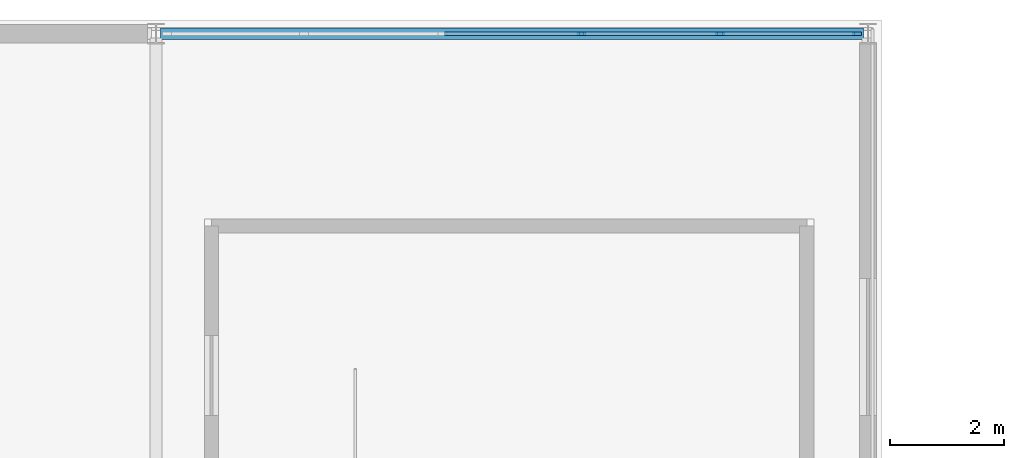
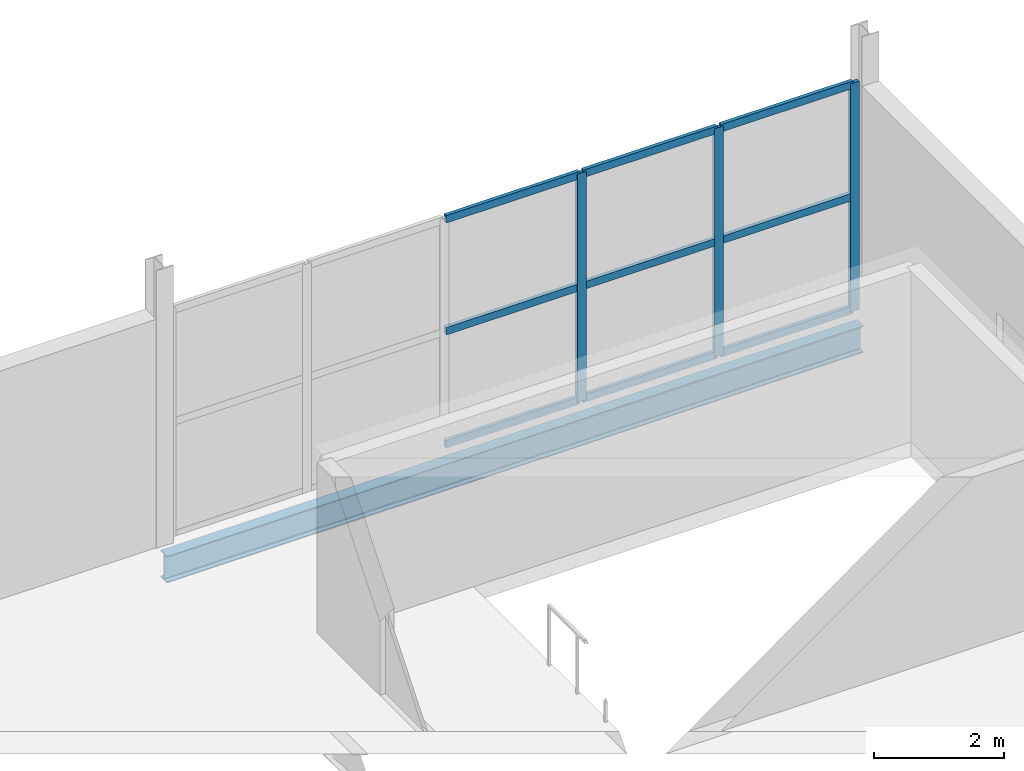
# One storey, part 81 of 168: 12 members, 1 beam, 1 element without a shape of its own.
"""IFC4 building model written with IfcOpenShell, lengths in metres."""

from ifc_helpers import new_model, si_unit, direction, frame, origin, origin_2d, place, context, subcontext, project, spatial, rectangle, i_section, extrude, material, material_profile, profile_set, type_object, element, aggregate, save


model = new_model("IFC4")

# Units and contexts
model_context = context("Model", 3, precision=1e-05, world=origin(), true_north=direction((0.0, 1.0)))
body_context = subcontext(model_context, "Body", "Model", "MODEL_VIEW")
ifc_project = project(units=[si_unit("LENGTHUNIT", "METRE"), si_unit("AREAUNIT", "SQUARE_METRE"), si_unit("VOLUMEUNIT", "CUBIC_METRE"), si_unit("PLANEANGLEUNIT", "RADIAN"), si_unit("MASSUNIT", "GRAM", prefix="KILO")], contexts=[model_context])

# Site, building, storey
site_placement = place(None, origin())
site = spatial("IfcSite", under=ifc_project, at=site_placement, CompositionType="ELEMENT")
building_placement = place(site_placement, origin())
building = spatial("IfcBuilding", under=site, at=building_placement, Name="Zlatoyarsky Gate Stadium", CompositionType="ELEMENT")
storey_placement = place(building_placement, frame((0.0, 0.0, 15.60009765625)))
storey = spatial("IfcBuildingStorey", under=building, at=storey_placement, Name="L03", CompositionType="ELEMENT", Elevation=15.60009765625)

# Curtain wall, members
ifc_material_1 = material(Name="Thermally broken anodised aluminium curtain wall", Category="aluminium")
curtain_wall_type = type_object("IfcCurtainWallType", Name="WINTER GARDEN CONSERVATORY GLAZING", PredefinedType="USERDEFINED", material=ifc_material_1)
curtain_wall_placement = place(storey_placement, origin())
curtain_wall = element("IfcCurtainWall", 1, at=curtain_wall_placement, inside=storey, type_object=curtain_wall_type, Name="Curtain wall CW-V2_NORTH-L03-156", ObjectType="UNITISED GLAZING", PredefinedType="USERDEFINED")
ifc_material_2 = material(Name="Anodised aluminium 6063-T6", Category="aluminium")
ifc_material_profile_1 = material_profile(ifc_material_2, rectangle(XDim=0.06494140625, YDim=0.159912109375, at=origin_2d()), Name="ALU 65X160")
ifc_profile_set_1 = profile_set([ifc_material_profile_1], Name="Anodised aluminium 6063-T6")
member_type_1 = type_object("IfcMemberType", Name="ALUMINIUM MULLION 65X160", PredefinedType="MULLION", material=ifc_profile_set_1)
member_1_placement = place(storey_placement, frame((154.967529296875, 160.0, 0.0), z_axis=(0.0, 0.0, 1.0), x_axis=(0.0, 1.0, 0.0)))
member_1 = element("IfcMember", 2, at=member_1_placement, type_object=member_type_1, Name="CW-WG1 mullion 4", PredefinedType="MULLION", context=body_context, shape_type="SweptSolid", body=[
    extrude(rectangle(XDim=0.06494140625, YDim=0.159912109375, at=origin_2d()), origin(), (0.0, 0.0, 1.0), 4.27978515625),
])
member_2_placement = place(storey_placement, frame((157.40283203125, 160.0, 0.0), z_axis=(0.0, 0.0, 1.0), x_axis=(0.0, 1.0, 0.0)))
member_2 = element("IfcMember", 3, at=member_2_placement, type_object=member_type_1, Name="CW-WG1 mullion 5", PredefinedType="MULLION", context=body_context, shape_type="SweptSolid", body=[
    extrude(rectangle(XDim=0.06494140625, YDim=0.159912109375, at=origin_2d()), origin(), (0.0, 0.0, 1.0), 4.27978515625),
])
member_3_placement = place(storey_placement, frame((159.805419921875, 160.0, 0.0), z_axis=(0.0, 0.0, 1.0), x_axis=(0.0, 1.0, 0.0)))
member_3 = element("IfcMember", 4, at=member_3_placement, type_object=member_type_1, Name="CW-WG1 mullion 6", PredefinedType="MULLION", context=body_context, shape_type="SweptSolid", body=[
    extrude(rectangle(XDim=0.06494140625, YDim=0.159912109375, at=origin_2d()), origin(), (0.0, 0.0, 1.0), 4.27978515625),
])
ifc_material_profile_2 = material_profile(ifc_material_2, rectangle(XDim=0.06494140625, YDim=0.139892578125, at=origin_2d()), Name="ALU 65X140")
ifc_profile_set_2 = profile_set([ifc_material_profile_2], Name="Anodised aluminium 6063-T6")
member_type_2 = type_object("IfcMemberType", Name="ALUMINIUM TRANSOM 65X140", PredefinedType="USERDEFINED", material=ifc_profile_set_2)
member_4_placement = place(storey_placement, frame((152.56494140625, 160.0, 0.032470703125), z_axis=(1.0, 0.0, 0.0), x_axis=(0.0, 1.0, 0.0)))
member_4 = element("IfcMember", 5, at=member_4_placement, type_object=member_type_2, Name="CW-WG1 transom 3.1", ObjectType="TRANSOM", PredefinedType="USERDEFINED", context=body_context, shape_type="SweptSolid", body=[
    extrude(rectangle(XDim=0.06494140625, YDim=0.139892578125, at=origin_2d()), origin(), (0.0, 0.0, 1.0), 2.3701171875),
])
member_5_placement = place(storey_placement, frame((152.56494140625, 160.0, 2.14990234375), z_axis=(1.0, 0.0, 0.0), x_axis=(0.0, 1.0, 0.0)))
member_5 = element("IfcMember", 6, at=member_5_placement, type_object=member_type_2, Name="CW-WG1 transom 3.2", ObjectType="TRANSOM", PredefinedType="USERDEFINED", context=body_context, shape_type="SweptSolid", body=[
    extrude(rectangle(XDim=0.06494140625, YDim=0.139892578125, at=origin_2d()), origin(), (0.0, 0.0, 1.0), 2.3701171875),
])
member_6_placement = place(storey_placement, frame((152.56494140625, 160.0, 4.247314453125), z_axis=(1.0, 0.0, 0.0), x_axis=(0.0, 1.0, 0.0)))
member_6 = element("IfcMember", 7, at=member_6_placement, type_object=member_type_2, Name="CW-WG1 transom 3.3", ObjectType="TRANSOM", PredefinedType="USERDEFINED", context=body_context, shape_type="SweptSolid", body=[
    extrude(rectangle(XDim=0.06494140625, YDim=0.139892578125, at=origin_2d()), origin(), (0.0, 0.0, 1.0), 2.3701171875),
])
member_7_placement = place(storey_placement, frame((155.0, 160.0, 0.032470703125), z_axis=(1.0, 0.0, 0.0), x_axis=(0.0, 1.0, 0.0)))
member_7 = element("IfcMember", 8, at=member_7_placement, type_object=member_type_2, Name="CW-WG1 transom 4.1", ObjectType="TRANSOM", PredefinedType="USERDEFINED", context=body_context, shape_type="SweptSolid", body=[
    extrude(rectangle(XDim=0.06494140625, YDim=0.139892578125, at=origin_2d()), origin(), (0.0, 0.0, 1.0), 2.370361328125),
])
member_8_placement = place(storey_placement, frame((155.0, 160.0, 2.14990234375), z_axis=(1.0, 0.0, 0.0), x_axis=(0.0, 1.0, 0.0)))
member_8 = element("IfcMember", 9, at=member_8_placement, type_object=member_type_2, Name="CW-WG1 transom 4.2", ObjectType="TRANSOM", PredefinedType="USERDEFINED", context=body_context, shape_type="SweptSolid", body=[
    extrude(rectangle(XDim=0.06494140625, YDim=0.139892578125, at=origin_2d()), origin(), (0.0, 0.0, 1.0), 2.370361328125),
])
member_9_placement = place(storey_placement, frame((155.0, 160.0, 4.247314453125), z_axis=(1.0, 0.0, 0.0), x_axis=(0.0, 1.0, 0.0)))
member_9 = element("IfcMember", 10, at=member_9_placement, type_object=member_type_2, Name="CW-WG1 transom 4.3", ObjectType="TRANSOM", PredefinedType="USERDEFINED", context=body_context, shape_type="SweptSolid", body=[
    extrude(rectangle(XDim=0.06494140625, YDim=0.139892578125, at=origin_2d()), origin(), (0.0, 0.0, 1.0), 2.370361328125),
])
member_10_placement = place(storey_placement, frame((157.435302734375, 160.0, 0.032470703125), z_axis=(1.0, 0.0, 0.0), x_axis=(0.0, 1.0, 0.0)))
member_10 = element("IfcMember", 11, at=member_10_placement, type_object=member_type_2, Name="CW-WG1 transom 5.1", ObjectType="TRANSOM", PredefinedType="USERDEFINED", context=body_context, shape_type="SweptSolid", body=[
    extrude(rectangle(XDim=0.06494140625, YDim=0.139892578125, at=origin_2d()), origin(), (0.0, 0.0, 1.0), 2.337646484375),
])
member_11_placement = place(storey_placement, frame((157.435302734375, 160.0, 2.14990234375), z_axis=(1.0, 0.0, 0.0), x_axis=(0.0, 1.0, 0.0)))
member_11 = element("IfcMember", 12, at=member_11_placement, type_object=member_type_2, Name="CW-WG1 transom 5.2", ObjectType="TRANSOM", PredefinedType="USERDEFINED", context=body_context, shape_type="SweptSolid", body=[
    extrude(rectangle(XDim=0.06494140625, YDim=0.139892578125, at=origin_2d()), origin(), (0.0, 0.0, 1.0), 2.337646484375),
])
member_12_placement = place(storey_placement, frame((157.435302734375, 160.0, 4.247314453125), z_axis=(1.0, 0.0, 0.0), x_axis=(0.0, 1.0, 0.0)))
member_12 = element("IfcMember", 13, at=member_12_placement, type_object=member_type_2, Name="CW-WG1 transom 5.3", ObjectType="TRANSOM", PredefinedType="USERDEFINED", context=body_context, shape_type="SweptSolid", body=[
    extrude(rectangle(XDim=0.06494140625, YDim=0.139892578125, at=origin_2d()), origin(), (0.0, 0.0, 1.0), 2.337646484375),
])
aggregate(curtain_wall, [member_1, member_2, member_3, member_4, member_5, member_6, member_7, member_8, member_9, member_10, member_11, member_12])

# Beam
ifc_material_3 = material(Name="Steel S355", Category="steel")
ifc_material_profile_3 = material_profile(ifc_material_3, i_section(OverallWidth=0.199951171875, OverallDepth=0.5, WebThickness=0.01025390625, FlangeThickness=0.01611328125, FilletRadius=0.02099609375, at=origin_2d()), Name="IPE 500")
ifc_profile_set_3 = profile_set([ifc_material_profile_3], Name="Steel S355")
beam_type = type_object("IfcBeamType", Name="STEEL FLOOR BEAM IPE 500", PredefinedType="BEAM", material=ifc_profile_set_3)
beam_placement = place(storey_placement, frame((147.580078125, 160.0, -0.530029296875), z_axis=(1.0, 0.0, 0.0), x_axis=(0.0, 1.0, 0.0)))
element("IfcBeam", 14, at=beam_placement, inside=storey, type_object=beam_type, Name="Beam B-IPE500 BM-L03-WGX-13-Q", PredefinedType="BEAM", context=body_context, shape_type="SweptSolid", body=[
    extrude(i_section(OverallWidth=0.199951171875, OverallDepth=0.5, WebThickness=0.01025390625, FlangeThickness=0.01611328125, FilletRadius=0.02099609375, at=origin_2d()), origin(), (0.0, 0.0, 1.0), 12.33984375),
])

save(model, "model.ifc")
